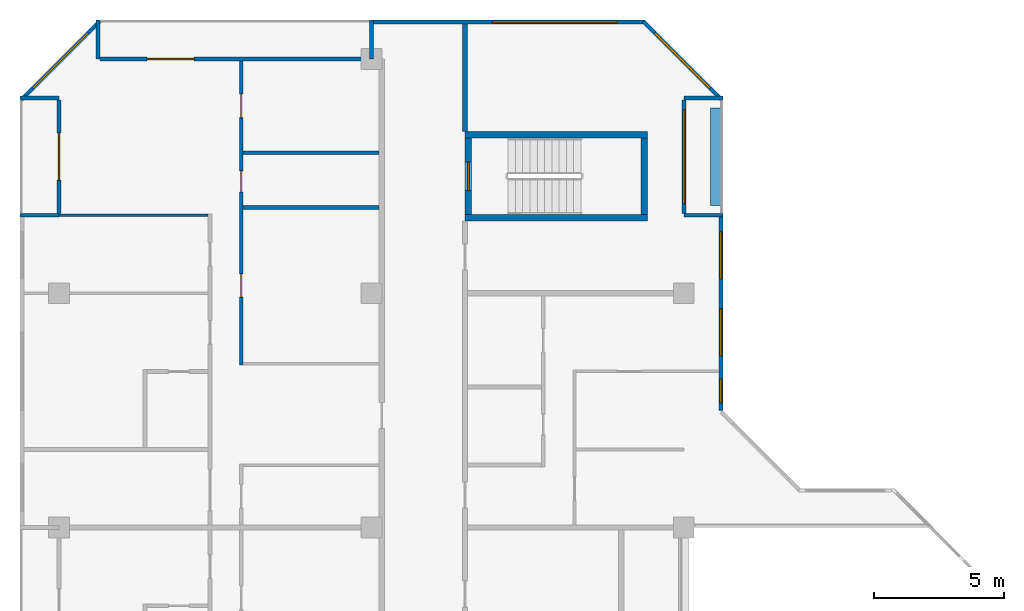
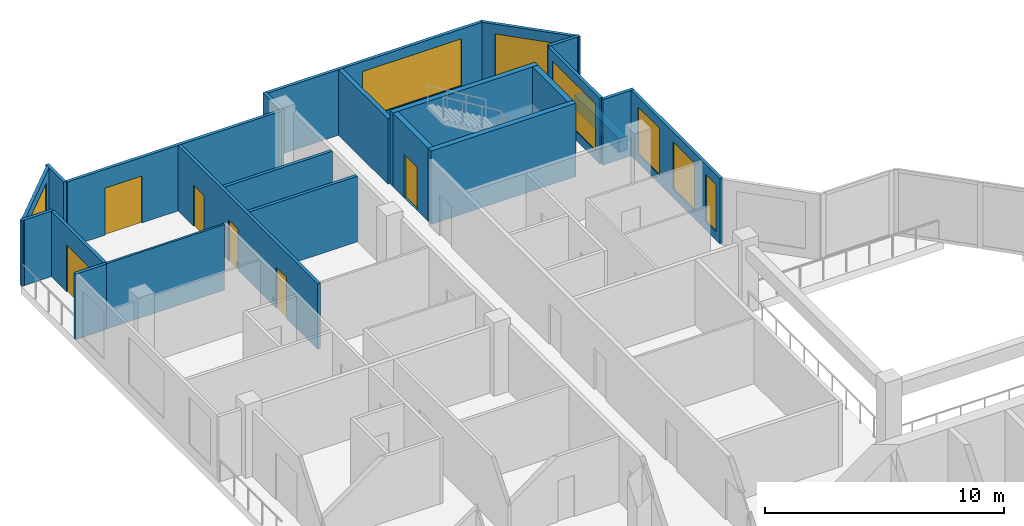
# One storey, part 10 of 13: 23 walls, 7 windows, 6 doors, 13 openings.
"""IFC4 building model written with IfcOpenShell, lengths in metres."""

from ifc_helpers import new_model, si_unit, direction, frame, frame_2d, origin, place, context, subcontext, project, spatial, rectangle, extrude, material, layer, layer_set, type_object, element, fill, save


model = new_model("IFC4")

# Units and contexts
model_context = context("Model", 3, precision=1e-05, world=origin(), true_north=direction((0.0, 1.0)))
body_context = subcontext(model_context, "Body", "Model", "MODEL_VIEW")
ifc_project = project(units=[si_unit("LENGTHUNIT", "METRE"), si_unit("AREAUNIT", "SQUARE_METRE"), si_unit("VOLUMEUNIT", "CUBIC_METRE"), si_unit("PLANEANGLEUNIT", "RADIAN"), si_unit("MASSUNIT", "GRAM", prefix="KILO")], contexts=[model_context])

# Site, building, storey
site_placement = place(None, origin())
site = spatial("IfcSite", under=ifc_project, at=site_placement, CompositionType="ELEMENT")
building_placement = place(site_placement, origin())
building = spatial("IfcBuilding", under=site, at=building_placement, Name="Chenar Terraces", CompositionType="ELEMENT")
storey_placement = place(building_placement, frame((0.0, 0.0, 307.14990234375)))
storey = spatial("IfcBuildingStorey", under=building, at=storey_placement, Name="L72", CompositionType="ELEMENT", Elevation=307.14990234375)

# Walls
ifc_material_1 = material(Name="Concrete C50/60", Category="concrete")
ifc_layer_1 = layer(ifc_material_1, 0.25)
ifc_layer_set_1 = layer_set([ifc_layer_1], Name="Concrete C50/60")
wall_type_1 = type_object("IfcWallType", Name="Core wall 250 Concrete C50/60", PredefinedType="SHEAR", material=ifc_layer_set_1)
for number, where, z_axis, x_axis, name in (
    (1, (15.60009765625, 47.89990234375, 0.0), (0.0, 0.0, 1.0), (1.0, 0.0, 0.0), "Core wall ST4_S L72"),
    (2, (15.60009765625, 51.10009765625, 0.0), (0.0, 0.0, 1.0), (1.0, 0.0, 0.0), "Core wall ST4_N L72"),
):
    element("IfcWall", number, at=place(storey_placement, frame(where, z_axis=z_axis, x_axis=x_axis)), inside=storey, type_object=wall_type_1, Name=name, PredefinedType="SHEAR", context=body_context, shape_type="SweptSolid", body=[
        extrude(rectangle(XDim=7.0, YDim=0.25, at=frame_2d((3.5, 0.0))), origin(), (0.0, 0.0, 1.0), 3.75),
    ])

# Wall, opening, door
wall_1_placement = place(storey_placement, frame((15.72509765625, 48.02490234375, 0.0), z_axis=(0.0, 0.0, 1.0), x_axis=(0.0, 1.0, 0.0)))
wall_1 = element("IfcWall", 3, at=wall_1_placement, inside=storey, type_object=wall_type_1, Name="Core wall ST4_W L72", PredefinedType="SHEAR", context=body_context, shape_type="SweptSolid", body=[
    extrude(rectangle(XDim=2.9501953125, YDim=0.25, at=frame_2d((1.47509765625, 0.0))), origin(), (0.0, 0.0, 1.0), 3.75),
])
opening_1_placement = place(wall_1_placement, frame((0.925048828125, 0.0, 0.0)))
opening_1 = element("IfcOpeningElement", 4, at=opening_1_placement, cuts=wall_1, Name="Opening DL72-C9", PredefinedType="OPENING", context=body_context, shape_type="SweptSolid", body=[
    extrude(rectangle(XDim=1.10009765625, YDim=2.199951171875, at=frame_2d((0.550048828125, 1.10009765625))), frame((0.0, 0.135009765625, 0.0), z_axis=(0.0, -1.0, 0.0), x_axis=(1.0, 0.0, 0.0)), (0.0, 0.0, 1.0), 0.27001953125),
])
ifc_material_2 = material(Name="Steel-framed fire-resisting door leaf", Category="steel")
door_type_1 = type_object("IfcDoorType", Name="Stair fire door FD60 1100 x 2200", OperationType="SINGLE_SWING_LEFT", PredefinedType="DOOR", material=ifc_material_2)
door_1_placement = place(opening_1_placement, frame((1.10009765625, 0.0, 0.0), z_axis=(0.0, 0.0, 1.0), x_axis=(-1.0, 0.0, 0.0)))
door_1 = element("IfcDoor", 5, at=door_1_placement, inside=storey, type_object=door_type_1, Name="Stair door DL72-C9", OperationType="SINGLE_SWING_RIGHT", OverallHeight=2.199951171875, OverallWidth=1.10009765625, PredefinedType="DOOR", context=body_context, shape_type="SweptSolid", body=[
    extrude(rectangle(XDim=1.10009765625, YDim=2.199951171875, at=frame_2d((0.550048828125, 1.10009765625))), frame((0.0, 0.02490234375, 0.0), z_axis=(0.0, -1.0, 0.0), x_axis=(1.0, 0.0, 0.0)), (0.0, 0.0, 1.0), 0.050048828125),
])
fill(opening_1, door_1)

# Walls
wall_2_placement = place(storey_placement, frame((22.47509765625, 48.02490234375, 0.0), z_axis=(0.0, 0.0, 1.0), x_axis=(0.0, 1.0, 0.0)))
element("IfcWall", 6, at=wall_2_placement, inside=storey, type_object=wall_type_1, Name="Core wall ST4_E L72", PredefinedType="SHEAR", context=body_context, shape_type="SweptSolid", body=[
    extrude(rectangle(XDim=2.9501953125, YDim=0.25, at=frame_2d((1.47509765625, 0.0))), origin(), (0.0, 0.0, 1.0), 3.75),
])
ifc_material_3 = material(Name="Gypsum board on steel studs with fire boards", Category="steel")
ifc_layer_2 = layer(ifc_material_3, 0.199951171875)
ifc_layer_set_2 = layer_set([ifc_layer_2], Name="Gypsum board on steel studs with fire boards")
wall_type_2 = type_object("IfcWallType", Name="Corridor wall 200", PredefinedType="PARTITIONING", material=ifc_layer_set_2)
wall_3_placement = place(storey_placement, frame((15.60009765625, 51.22509765625, 0.0), z_axis=(0.0, 0.0, 1.0), x_axis=(0.0, 1.0, 0.0)))
element("IfcWall", 7, at=wall_3_placement, inside=storey, type_object=wall_type_2, Name="Partition L72-034", PredefinedType="PARTITIONING", context=body_context, shape_type="SweptSolid", body=[
    extrude(rectangle(XDim=4.125, YDim=0.199951171875, at=frame_2d((2.0625, 0.0))), origin(), (0.0, 0.0, 1.0), 3.35009765625),
])

# Wall, openings, windows
ifc_material_4 = material(Name="Aluminium framed glazing", Category="aluminium")
ifc_layer_3 = layer(ifc_material_4, 0.14990234375)
ifc_layer_set_3 = layer_set([ifc_layer_3], Name="Aluminium framed glazing")
wall_type_3 = type_object("IfcWallType", Name="Glazed flush facade wall 150", PredefinedType="SOLIDWALL", material=ifc_layer_set_3)
wall_4_placement = place(storey_placement, frame((25.425048828125, 40.5, 0.0), z_axis=(0.0, 0.0, 1.0), x_axis=(0.0, 1.0, 0.0)))
wall_4 = element("IfcWall", 8, at=wall_4_placement, inside=storey, type_object=wall_type_3, Name="Glazed flush facade wall", PredefinedType="SOLIDWALL", context=body_context, shape_type="SweptSolid", body=[
    extrude(rectangle(XDim=7.425048828125, YDim=0.14990234375, at=frame_2d((3.71240234375, 0.0))), origin(), (0.0, 0.0, 1.0), 3.35009765625),
])
opening_2_placement = place(wall_4_placement, frame((0.300048828125, 0.0, 0.449951171875)))
opening_2 = element("IfcOpeningElement", 9, at=opening_2_placement, cuts=wall_4, Name="Opening W90x240", PredefinedType="OPENING", context=body_context, shape_type="SweptSolid", body=[
    extrude(rectangle(XDim=0.89990234375, YDim=2.39990234375, at=frame_2d((0.449951171875, 1.199951171875))), frame((0.0, 0.0849609375, 0.0), z_axis=(0.0, -1.0, 0.0), x_axis=(1.0, 0.0, 0.0)), (0.0, 0.0, 1.0), 0.169921875),
])
opening_3_placement = place(wall_4_placement, frame((2.10009765625, 0.0, 0.449951171875)))
opening_3 = element("IfcOpeningElement", 10, at=opening_3_placement, cuts=wall_4, Name="Opening W180x240", PredefinedType="OPENING", context=body_context, shape_type="SweptSolid", body=[
    extrude(rectangle(XDim=1.800048828125, YDim=2.39990234375, at=frame_2d((0.89990234375, 1.199951171875))), frame((0.0, 0.0849609375, 0.0), z_axis=(0.0, -1.0, 0.0), x_axis=(1.0, 0.0, 0.0)), (0.0, 0.0, 1.0), 0.169921875),
])
opening_4_placement = place(wall_4_placement, frame((5.0625, 0.0, 0.449951171875)))
opening_4 = element("IfcOpeningElement", 11, at=opening_4_placement, cuts=wall_4, Name="Opening W180x240", PredefinedType="OPENING", context=body_context, shape_type="SweptSolid", body=[
    extrude(rectangle(XDim=1.800048828125, YDim=2.39990234375, at=frame_2d((0.89990234375, 1.199951171875))), frame((0.0, 0.0849609375, 0.0), z_axis=(0.0, -1.0, 0.0), x_axis=(1.0, 0.0, 0.0)), (0.0, 0.0, 1.0), 0.169921875),
])
ifc_material_5 = material(Name="Low emissivity double glazing, aluminium frame", Category="aluminium")
window_type_1 = type_object("IfcWindowType", Name="Fixed light 1800 x 2400", PartitioningType="SINGLE_PANEL", PredefinedType="WINDOW", material=ifc_material_5)
window_1_placement = place(opening_3_placement, origin())
window_1 = element("IfcWindow", 12, at=window_1_placement, inside=storey, type_object=window_type_1, Name="Window", OverallHeight=2.39990234375, OverallWidth=1.800048828125, PartitioningType="SINGLE_PANEL", PredefinedType="WINDOW", context=body_context, shape_type="SweptSolid", body=[
    extrude(rectangle(XDim=1.800048828125, YDim=2.39990234375, at=frame_2d((0.89990234375, 1.199951171875))), frame((0.0, 0.030029296875, 0.0), z_axis=(0.0, -1.0, 0.0), x_axis=(1.0, 0.0, 0.0)), (0.0, 0.0, 1.0), 0.06005859375),
])
fill(opening_3, window_1)
window_2_placement = place(opening_4_placement, origin())
window_2 = element("IfcWindow", 13, at=window_2_placement, inside=storey, type_object=window_type_1, Name="Window", OverallHeight=2.39990234375, OverallWidth=1.800048828125, PartitioningType="SINGLE_PANEL", PredefinedType="WINDOW", context=body_context, shape_type="SweptSolid", body=[
    extrude(rectangle(XDim=1.800048828125, YDim=2.39990234375, at=frame_2d((0.89990234375, 1.199951171875))), frame((0.0, 0.030029296875, 0.0), z_axis=(0.0, -1.0, 0.0), x_axis=(1.0, 0.0, 0.0)), (0.0, 0.0, 1.0), 0.06005859375),
])
fill(opening_4, window_2)
ifc_material_6 = material(Name="Low emissivity double glazing, aluminium frame", Category="aluminium")
window_type_2 = type_object("IfcWindowType", Name="Fixed light 900 x 2400", PartitioningType="SINGLE_PANEL", PredefinedType="WINDOW", material=ifc_material_6)
window_3_placement = place(opening_2_placement, origin())
window_3 = element("IfcWindow", 14, at=window_3_placement, inside=storey, type_object=window_type_2, Name="Window", OverallHeight=2.39990234375, OverallWidth=0.89990234375, PartitioningType="SINGLE_PANEL", PredefinedType="WINDOW", context=body_context, shape_type="SweptSolid", body=[
    extrude(rectangle(XDim=0.89990234375, YDim=2.39990234375, at=frame_2d((0.449951171875, 1.199951171875))), frame((0.0, 0.030029296875, 0.0), z_axis=(0.0, -1.0, 0.0), x_axis=(1.0, 0.0, 0.0)), (0.0, 0.0, 1.0), 0.06005859375),
])
fill(opening_2, window_3)

# Wall, opening, window
wall_5_placement = place(storey_placement, frame((22.5, 55.425048828125, 0.0), z_axis=(0.0, 0.0, 1.0), x_axis=(-1.0, 0.0, 0.0)))
wall_5 = element("IfcWall", 15, at=wall_5_placement, inside=storey, type_object=wall_type_3, Name="Glazed flush facade wall", PredefinedType="SOLIDWALL", context=body_context, shape_type="SweptSolid", body=[
    extrude(rectangle(XDim=10.425048828125, YDim=0.14990234375, at=frame_2d((5.21240234375, 0.0))), origin(), (0.0, 0.0, 1.0), 3.35009765625),
])
opening_5_placement = place(wall_5_placement, frame((1.050048828125, 0.0, 0.449951171875)))
opening_5 = element("IfcOpeningElement", 16, at=opening_5_placement, cuts=wall_5, Name="Opening W480x240", PredefinedType="OPENING", context=body_context, shape_type="SweptSolid", body=[
    extrude(rectangle(XDim=4.800048828125, YDim=2.39990234375, at=frame_2d((2.39990234375, 1.199951171875))), frame((0.0, 0.0849609375, 0.0), z_axis=(0.0, -1.0, 0.0), x_axis=(1.0, 0.0, 0.0)), (0.0, 0.0, 1.0), 0.169921875),
])
ifc_material_7 = material(Name="Low emissivity double glazing, aluminium frame", Category="aluminium")
window_type_3 = type_object("IfcWindowType", Name="Fixed light 4800 x 2400", PartitioningType="SINGLE_PANEL", PredefinedType="WINDOW", material=ifc_material_7)
window_4_placement = place(opening_5_placement, origin())
window_4 = element("IfcWindow", 17, at=window_4_placement, inside=storey, type_object=window_type_3, Name="Window", OverallHeight=2.39990234375, OverallWidth=4.800048828125, PartitioningType="SINGLE_PANEL", PredefinedType="WINDOW", context=body_context, shape_type="SweptSolid", body=[
    extrude(rectangle(XDim=4.800048828125, YDim=2.39990234375, at=frame_2d((2.39990234375, 1.199951171875))), frame((0.0, 0.030029296875, 0.0), z_axis=(0.0, -1.0, 0.0), x_axis=(1.0, 0.0, 0.0)), (0.0, 0.0, 1.0), 0.06005859375),
])
fill(opening_5, window_4)

ifc_material_8 = material(Name="Aluminium framed glazing", Category="aluminium")
ifc_layer_4 = layer(ifc_material_8, 0.14990234375)
ifc_layer_set_4 = layer_set([ifc_layer_4], Name="Aluminium framed glazing")
wall_type_4 = type_object("IfcWallType", Name="Glazed loggia back wall 150", PredefinedType="SOLIDWALL", material=ifc_layer_set_4)
wall_6_placement = place(storey_placement, frame((24.0, 48.074951171875, 0.0), z_axis=(0.0, 0.0, 1.0), x_axis=(0.0, 1.0, 0.0)))
wall_6 = element("IfcWall", 18, at=wall_6_placement, inside=storey, type_object=wall_type_4, Name="Glazed loggia back wall", PredefinedType="SOLIDWALL", context=body_context, shape_type="SweptSolid", body=[
    extrude(rectangle(XDim=4.35009765625, YDim=0.14990234375, at=frame_2d((2.175048828125, 0.0))), origin(), (0.0, 0.0, 1.0), 3.35009765625),
])
opening_6_placement = place(wall_6_placement, frame((0.375, 0.0, 0.449951171875)))
opening_6 = element("IfcOpeningElement", 19, at=opening_6_placement, cuts=wall_6, Name="Opening W360x240", PredefinedType="OPENING", context=body_context, shape_type="SweptSolid", body=[
    extrude(rectangle(XDim=3.60009765625, YDim=2.39990234375, at=frame_2d((1.800048828125, 1.199951171875))), frame((0.0, 0.0849609375, 0.0), z_axis=(0.0, -1.0, 0.0), x_axis=(1.0, 0.0, 0.0)), (0.0, 0.0, 1.0), 0.169921875),
])
ifc_material_9 = material(Name="Low emissivity double glazing, aluminium frame", Category="aluminium")
window_type_4 = type_object("IfcWindowType", Name="Fixed light 3600 x 2400", PartitioningType="SINGLE_PANEL", PredefinedType="WINDOW", material=ifc_material_9)
window_5_placement = place(opening_6_placement, origin())
window_5 = element("IfcWindow", 20, at=window_5_placement, inside=storey, type_object=window_type_4, Name="Window", OverallHeight=2.39990234375, OverallWidth=3.60009765625, PartitioningType="SINGLE_PANEL", PredefinedType="WINDOW", context=body_context, shape_type="SweptSolid", body=[
    extrude(rectangle(XDim=3.60009765625, YDim=2.39990234375, at=frame_2d((1.800048828125, 1.199951171875))), frame((0.0, 0.030029296875, 0.0), z_axis=(0.0, -1.0, 0.0), x_axis=(1.0, 0.0, 0.0)), (0.0, 0.0, 1.0), 0.06005859375),
])
fill(opening_6, window_5)

# Wall, opening, door
wall_7_placement = place(storey_placement, frame((11.925048828125, 54.0, 0.0), z_axis=(0.0, 0.0, 1.0), x_axis=(-1.0, 0.0, 0.0)))
wall_7 = element("IfcWall", 21, at=wall_7_placement, inside=storey, type_object=wall_type_4, Name="Glazed loggia back wall", PredefinedType="SOLIDWALL", context=body_context, shape_type="SweptSolid", body=[
    extrude(rectangle(XDim=10.35009765625, YDim=0.14990234375, at=frame_2d((5.175048828125, 0.0))), origin(), (0.0, 0.0, 1.0), 3.35009765625),
])
opening_7_placement = place(wall_7_placement, frame((6.737548828125, 0.0, 0.0)))
opening_7 = element("IfcOpeningElement", 22, at=opening_7_placement, cuts=wall_7, Name="Opening DL72-G2", PredefinedType="OPENING", context=body_context, shape_type="SweptSolid", body=[
    extrude(rectangle(XDim=1.800048828125, YDim=2.39990234375, at=frame_2d((0.89990234375, 1.199951171875))), frame((0.0, 0.0849609375, 0.0), z_axis=(0.0, -1.0, 0.0), x_axis=(1.0, 0.0, 0.0)), (0.0, 0.0, 1.0), 0.169921875),
])
ifc_material_10 = material(Name="Low emissivity double glazing, aluminium frame", Category="aluminium")
door_type_2 = type_object("IfcDoorType", Name="Loggia glazed double door 1800 x 2400", OperationType="DOUBLE_DOOR_SINGLE_SWING", PredefinedType="DOOR", material=ifc_material_10)
door_2_placement = place(opening_7_placement, frame((1.800048828125, 0.0, 0.0), z_axis=(0.0, 0.0, 1.0), x_axis=(-1.0, 0.0, 0.0)))
door_2 = element("IfcDoor", 23, at=door_2_placement, inside=storey, type_object=door_type_2, Name="Loggia glazed door", OperationType="DOUBLE_DOOR_SINGLE_SWING", OverallHeight=2.39990234375, OverallWidth=1.800048828125, PredefinedType="DOOR", context=body_context, shape_type="SweptSolid", body=[
    extrude(rectangle(XDim=1.800048828125, YDim=2.39990234375, at=frame_2d((0.89990234375, 1.199951171875))), frame((0.0, 0.02490234375, 0.0), z_axis=(0.0, -1.0, 0.0), x_axis=(1.0, 0.0, 0.0)), (0.0, 0.0, 1.0), 0.050048828125),
])
fill(opening_7, door_2)

wall_8_placement = place(storey_placement, frame((0.0, 52.425048828125, 0.0), z_axis=(0.0, 0.0, 1.0), x_axis=(0.0, -1.0, 0.0)))
wall_8 = element("IfcWall", 24, at=wall_8_placement, inside=storey, type_object=wall_type_4, Name="Glazed loggia back wall", PredefinedType="SOLIDWALL", context=body_context, shape_type="SweptSolid", body=[
    extrude(rectangle(XDim=4.35009765625, YDim=0.14990234375, at=frame_2d((2.175048828125, 0.0))), origin(), (0.0, 0.0, 1.0), 3.35009765625),
])
opening_8_placement = place(wall_8_placement, frame((1.27490234375, 0.0, 0.0)))
opening_8 = element("IfcOpeningElement", 25, at=opening_8_placement, cuts=wall_8, Name="Opening DL72-G3", PredefinedType="OPENING", context=body_context, shape_type="SweptSolid", body=[
    extrude(rectangle(XDim=1.800048828125, YDim=2.39990234375, at=frame_2d((0.89990234375, 1.199951171875))), frame((0.0, 0.0849609375, 0.0), z_axis=(0.0, -1.0, 0.0), x_axis=(1.0, 0.0, 0.0)), (0.0, 0.0, 1.0), 0.169921875),
])
door_3_placement = place(opening_8_placement, frame((1.800048828125, 0.0, 0.0), z_axis=(0.0, 0.0, 1.0), x_axis=(-1.0, 0.0, 0.0)))
door_3 = element("IfcDoor", 26, at=door_3_placement, inside=storey, type_object=door_type_2, Name="Loggia glazed door", OperationType="DOUBLE_DOOR_SINGLE_SWING", OverallHeight=2.39990234375, OverallWidth=1.800048828125, PredefinedType="DOOR", context=body_context, shape_type="SweptSolid", body=[
    extrude(rectangle(XDim=1.800048828125, YDim=2.39990234375, at=frame_2d((0.89990234375, 1.199951171875))), frame((0.0, 0.02490234375, 0.0), z_axis=(0.0, -1.0, 0.0), x_axis=(1.0, 0.0, 0.0)), (0.0, 0.0, 1.0), 0.050048828125),
])
fill(opening_8, door_3)

# Walls
ifc_material_11 = material(Name="Gypsum board on steel studs", Category="steel")
ifc_layer_5 = layer(ifc_material_11, 0.10009765625)
ifc_layer_set_5 = layer_set([ifc_layer_5], Name="Gypsum board on steel studs")
wall_type_5 = type_object("IfcWallType", Name="Gypsum partition 100", PredefinedType="PARTITIONING", material=ifc_layer_set_5)
wall_9_placement = place(storey_placement, frame((0.0, 48.0, 0.0), z_axis=(0.0, 0.0, 1.0), x_axis=(1.0, 0.0, 0.0)))
element("IfcWall", 27, at=wall_9_placement, inside=storey, type_object=wall_type_5, Name="Partition L72-006", PredefinedType="PARTITIONING", context=body_context, shape_type="SweptSolid", body=[
    extrude(rectangle(XDim=5.72509765625, YDim=0.10009765625, at=frame_2d((2.862548828125, 0.0))), origin(), (0.0, 0.0, 1.0), 3.35009765625),
])
ifc_material_12 = material(Name="Terracotta cladding on insulated backing", Category="masonry")
ifc_layer_6 = layer(ifc_material_12, 0.14990234375)
ifc_layer_set_6 = layer_set([ifc_layer_6], Name="Terracotta cladding on insulated backing")
wall_type_6 = type_object("IfcWallType", Name="Loggia return wall 150", PredefinedType="SOLIDWALL", material=ifc_layer_set_6)
for number, where, z_axis, x_axis, name in (
    (28, (25.5, 48.0, 0.0), (0.0, 0.0, 1.0), (-1.0, 0.0, 0.0), "Loggia return wall"),
    (29, (25.5, 52.5, 0.0), (0.0, 0.0, 1.0), (-1.0, 0.0, 0.0), "Loggia return wall"),
    (30, (12.0, 55.5, 0.0), (0.0, 0.0, 1.0), (0.0, -1.0, 0.0), "Loggia return wall"),
    (31, (1.5, 55.5, 0.0), (0.0, 0.0, 1.0), (0.0, -1.0, 0.0), "Loggia return wall"),
    (32, (-1.5, 52.5, 0.0), (0.0, 0.0, 1.0), (1.0, 0.0, 0.0), "Loggia return wall"),
    (33, (-1.5, 48.0, 0.0), (0.0, 0.0, 1.0), (1.0, 0.0, 0.0), "Loggia return wall"),
):
    element("IfcWall", number, at=place(storey_placement, frame(where, z_axis=z_axis, x_axis=x_axis)), inside=storey, type_object=wall_type_6, Name=name, PredefinedType="SOLIDWALL", context=body_context, shape_type="SweptSolid", body=[
        extrude(rectangle(XDim=1.5, YDim=0.14990234375, at=frame_2d((0.75, 0.0))), origin(), (0.0, 0.0, 1.0), 3.35009765625),
    ])

# Wall, opening, window
ifc_material_13 = material(Name="Terracotta cladding on insulated backing", Category="masonry")
ifc_layer_7 = layer(ifc_material_13, 0.14990234375)
ifc_layer_set_7 = layer_set([ifc_layer_7], Name="Terracotta cladding on insulated backing")
wall_type_7 = type_object("IfcWallType", Name="Terracotta rainscreen wall 150", PredefinedType="SOLIDWALL", material=ifc_layer_set_7)
wall_10_placement = place(storey_placement, frame((25.447021484375, 52.447021484375, 0.0), z_axis=(0.0, 0.0, 1.0), x_axis=(-0.707106781187, 0.707106781187, 0.0)))
wall_10 = element("IfcWall", 34, at=wall_10_placement, inside=storey, type_object=wall_type_7, Name="Terracotta rainscreen wall", PredefinedType="SOLIDWALL", context=body_context, shape_type="SweptSolid", body=[
    extrude(rectangle(XDim=4.24267578125, YDim=0.14990234375, at=frame_2d((2.121337890625, 0.0))), origin(), (0.0, 0.0, 1.0), 3.35009765625),
])
opening_9_placement = place(wall_10_placement, frame((0.621337890625, 0.0, 0.449951171875)))
opening_9 = element("IfcOpeningElement", 35, at=opening_9_placement, cuts=wall_10, Name="Opening W300x240", PredefinedType="OPENING", context=body_context, shape_type="SweptSolid", body=[
    extrude(rectangle(XDim=3.0, YDim=2.39990234375, at=frame_2d((1.5, 1.199951171875))), frame((0.0, 0.0849609375, 0.0), z_axis=(0.0, -1.0, 0.0), x_axis=(1.0, 0.0, 0.0)), (0.0, 0.0, 1.0), 0.169921875),
])
ifc_material_14 = material(Name="Low emissivity double glazing, aluminium frame", Category="aluminium")
window_type_5 = type_object("IfcWindowType", Name="Fixed light 3000 x 2400", PartitioningType="SINGLE_PANEL", PredefinedType="WINDOW", material=ifc_material_14)
window_6_placement = place(opening_9_placement, origin())
window_6 = element("IfcWindow", 36, at=window_6_placement, inside=storey, type_object=window_type_5, Name="Window", OverallHeight=2.39990234375, OverallWidth=3.0, PartitioningType="SINGLE_PANEL", PredefinedType="WINDOW", context=body_context, shape_type="SweptSolid", body=[
    extrude(rectangle(XDim=3.0, YDim=2.39990234375, at=frame_2d((1.5, 1.199951171875))), frame((0.0, 0.030029296875, 0.0), z_axis=(0.0, -1.0, 0.0), x_axis=(1.0, 0.0, 0.0)), (0.0, 0.0, 1.0), 0.06005859375),
])
fill(opening_9, window_6)

wall_11_placement = place(storey_placement, frame((1.552978515625, 55.447021484375, 0.0), z_axis=(0.0, 0.0, 1.0), x_axis=(-0.707106781187, -0.707106781187, 0.0)))
wall_11 = element("IfcWall", 37, at=wall_11_placement, inside=storey, type_object=wall_type_7, Name="Terracotta rainscreen wall", PredefinedType="SOLIDWALL", context=body_context, shape_type="SweptSolid", body=[
    extrude(rectangle(XDim=4.24267578125, YDim=0.14990234375, at=frame_2d((2.121337890625, 0.0))), origin(), (0.0, 0.0, 1.0), 3.35009765625),
])
opening_10_placement = place(wall_11_placement, frame((0.621337890625, 0.0, 0.449951171875)))
opening_10 = element("IfcOpeningElement", 38, at=opening_10_placement, cuts=wall_11, Name="Opening W300x240", PredefinedType="OPENING", context=body_context, shape_type="SweptSolid", body=[
    extrude(rectangle(XDim=3.0, YDim=2.39990234375, at=frame_2d((1.5, 1.199951171875))), frame((0.0, 0.0849609375, 0.0), z_axis=(0.0, -1.0, 0.0), x_axis=(1.0, 0.0, 0.0)), (0.0, 0.0, 1.0), 0.169921875),
])
window_7_placement = place(opening_10_placement, origin())
window_7 = element("IfcWindow", 39, at=window_7_placement, inside=storey, type_object=window_type_5, Name="Window", OverallHeight=2.39990234375, OverallWidth=3.0, PartitioningType="SINGLE_PANEL", PredefinedType="WINDOW", context=body_context, shape_type="SweptSolid", body=[
    extrude(rectangle(XDim=3.0, YDim=2.39990234375, at=frame_2d((1.5, 1.199951171875))), frame((0.0, 0.030029296875, 0.0), z_axis=(0.0, -1.0, 0.0), x_axis=(1.0, 0.0, 0.0)), (0.0, 0.0, 1.0), 0.06005859375),
])
fill(opening_10, window_7)

# Wall
ifc_material_15 = material(Name="GRP planter trough")
ifc_layer_8 = layer(ifc_material_15, 0.39990234375)
ifc_layer_set_8 = layer_set([ifc_layer_8], Name="GRP planter trough")
wall_type_8 = type_object("IfcWallType", Name="Vertical greenery planter 400", PredefinedType="SOLIDWALL", material=ifc_layer_set_8)
wall_12_placement = place(storey_placement, frame((25.22900390625, 48.375, 0.0), z_axis=(0.0, 0.0, 1.0), x_axis=(0.0, 1.0, 0.0)))
element("IfcWall", 40, at=wall_12_placement, inside=storey, type_object=wall_type_8, Name="Vertical greenery planter", PredefinedType="SOLIDWALL", context=body_context, shape_type="SweptSolid", body=[
    extrude(rectangle(XDim=3.75, YDim=0.39990234375, at=frame_2d((1.875, 0.0))), origin(), (0.0, 0.0, 1.0), 0.7001953125),
])

# Wall, openings, doors
ifc_material_16 = material(Name="Moisture-resistant gypsum board on steel studs", Category="steel")
ifc_layer_9 = layer(ifc_material_16, 0.14990234375)
ifc_layer_set_9 = layer_set([ifc_layer_9], Name="Moisture-resistant gypsum board on steel studs")
wall_type_9 = type_object("IfcWallType", Name="Wet-room partition 150", PredefinedType="PARTITIONING", material=ifc_layer_set_9)
wall_13_placement = place(storey_placement, frame((7.0, 42.25, 0.0), z_axis=(0.0, 0.0, 1.0), x_axis=(0.0, 1.0, 0.0)))
wall_13 = element("IfcWall", 41, at=wall_13_placement, inside=storey, type_object=wall_type_9, Name="Partition L72-019", PredefinedType="PARTITIONING", context=body_context, shape_type="SweptSolid", body=[
    extrude(rectangle(XDim=11.676025390625, YDim=0.14990234375, at=frame_2d((5.837890625, 0.0))), origin(), (0.0, 0.0, 1.0), 3.35009765625),
])
opening_11_placement = place(wall_13_placement, frame((6.64990234375, 0.0, 0.0)))
opening_11 = element("IfcOpeningElement", 42, at=opening_11_placement, cuts=wall_13, Name="Opening DL72-20", PredefinedType="OPENING", context=body_context, shape_type="SweptSolid", body=[
    extrude(rectangle(XDim=0.800048828125, YDim=2.10009765625, at=frame_2d((0.39990234375, 1.050048828125))), frame((0.0, 0.0849609375, 0.0), z_axis=(0.0, -1.0, 0.0), x_axis=(1.0, 0.0, 0.0)), (0.0, 0.0, 1.0), 0.169921875),
])
opening_12_placement = place(wall_13_placement, frame((2.60009765625, 0.0, 0.0)))
opening_12 = element("IfcOpeningElement", 43, at=opening_12_placement, cuts=wall_13, Name="Opening DL72-24", PredefinedType="OPENING", context=body_context, shape_type="SweptSolid", body=[
    extrude(rectangle(XDim=0.89990234375, YDim=2.10009765625, at=frame_2d((0.449951171875, 1.050048828125))), frame((0.0, 0.0849609375, 0.0), z_axis=(0.0, -1.0, 0.0), x_axis=(1.0, 0.0, 0.0)), (0.0, 0.0, 1.0), 0.169921875),
])
opening_13_placement = place(wall_13_placement, frame((9.5, 0.0, 0.0)))
opening_13 = element("IfcOpeningElement", 44, at=opening_13_placement, cuts=wall_13, Name="Opening DL72-28", PredefinedType="OPENING", context=body_context, shape_type="SweptSolid", body=[
    extrude(rectangle(XDim=0.89990234375, YDim=2.10009765625, at=frame_2d((0.449951171875, 1.050048828125))), frame((0.0, 0.0849609375, 0.0), z_axis=(0.0, -1.0, 0.0), x_axis=(1.0, 0.0, 0.0)), (0.0, 0.0, 1.0), 0.169921875),
])
ifc_material_17 = material(Name="Veneered timber door leaf", Category="wood")
door_type_3 = type_object("IfcDoorType", Name="Door 800 x 2100", OperationType="SINGLE_SWING_LEFT", PredefinedType="DOOR", material=ifc_material_17)
door_4_placement = place(opening_11_placement, frame((0.800048828125, 0.0, 0.0), z_axis=(0.0, 0.0, 1.0), x_axis=(-1.0, 0.0, 0.0)))
door_4 = element("IfcDoor", 45, at=door_4_placement, inside=storey, type_object=door_type_3, Name="Door DL72-20", OperationType="SINGLE_SWING_RIGHT", OverallHeight=2.10009765625, OverallWidth=0.800048828125, PredefinedType="DOOR", context=body_context, shape_type="SweptSolid", body=[
    extrude(rectangle(XDim=0.800048828125, YDim=2.10009765625, at=frame_2d((0.39990234375, 1.050048828125))), frame((0.0, 0.02490234375, 0.0), z_axis=(0.0, -1.0, 0.0), x_axis=(1.0, 0.0, 0.0)), (0.0, 0.0, 1.0), 0.050048828125),
])
fill(opening_11, door_4)
ifc_material_18 = material(Name="Veneered timber door leaf", Category="wood")
door_type_4 = type_object("IfcDoorType", Name="Door 900 x 2100", OperationType="SINGLE_SWING_LEFT", PredefinedType="DOOR", material=ifc_material_18)
door_5_placement = place(opening_12_placement, frame((0.89990234375, 0.0, 0.0), z_axis=(0.0, 0.0, 1.0), x_axis=(-1.0, 0.0, 0.0)))
door_5 = element("IfcDoor", 46, at=door_5_placement, inside=storey, type_object=door_type_4, Name="Door DL72-24", OperationType="SINGLE_SWING_LEFT", OverallHeight=2.10009765625, OverallWidth=0.89990234375, PredefinedType="DOOR", context=body_context, shape_type="SweptSolid", body=[
    extrude(rectangle(XDim=0.89990234375, YDim=2.10009765625, at=frame_2d((0.449951171875, 1.050048828125))), frame((0.0, 0.02490234375, 0.0), z_axis=(0.0, -1.0, 0.0), x_axis=(1.0, 0.0, 0.0)), (0.0, 0.0, 1.0), 0.050048828125),
])
fill(opening_12, door_5)
door_6_placement = place(opening_13_placement, frame((0.89990234375, 0.0, 0.0), z_axis=(0.0, 0.0, 1.0), x_axis=(-1.0, 0.0, 0.0)))
door_6 = element("IfcDoor", 47, at=door_6_placement, inside=storey, type_object=door_type_4, Name="Door DL72-28", OperationType="SINGLE_SWING_RIGHT", OverallHeight=2.10009765625, OverallWidth=0.89990234375, PredefinedType="DOOR", context=body_context, shape_type="SweptSolid", body=[
    extrude(rectangle(XDim=0.89990234375, YDim=2.10009765625, at=frame_2d((0.449951171875, 1.050048828125))), frame((0.0, 0.02490234375, 0.0), z_axis=(0.0, -1.0, 0.0), x_axis=(1.0, 0.0, 0.0)), (0.0, 0.0, 1.0), 0.050048828125),
])
fill(opening_13, door_6)

# Walls
for number, where, z_axis, x_axis, name in (
    (48, (7.074951171875, 48.300048828125, 0.0), (0.0, 0.0, 1.0), (1.0, 0.0, 0.0), "Partition L72-024"),
    (49, (7.074951171875, 50.39990234375, 0.0), (0.0, 0.0, 1.0), (1.0, 0.0, 0.0), "Partition L72-025"),
):
    element("IfcWall", number, at=place(storey_placement, frame(where, z_axis=z_axis, x_axis=x_axis)), inside=storey, type_object=wall_type_9, Name=name, PredefinedType="PARTITIONING", context=body_context, shape_type="SweptSolid", body=[
        extrude(rectangle(XDim=5.22509765625, YDim=0.14990234375, at=frame_2d((2.612548828125, 0.0))), origin(), (0.0, 0.0, 1.0), 3.35009765625),
    ])

save(model, "model.ifc")
